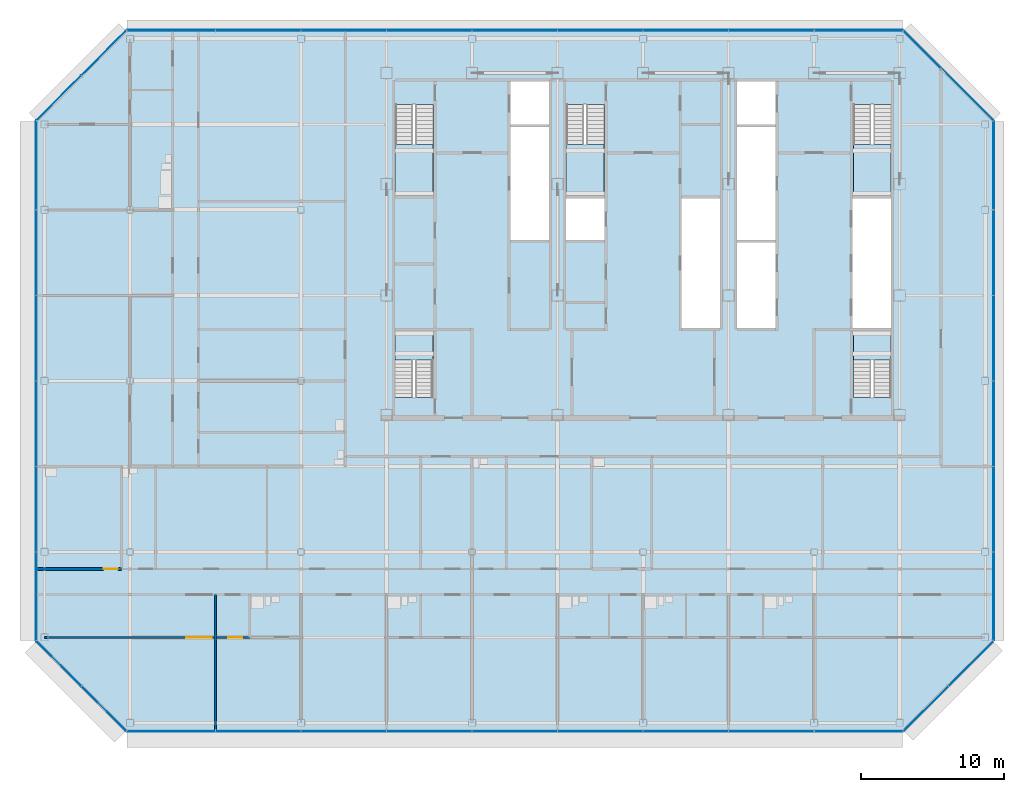
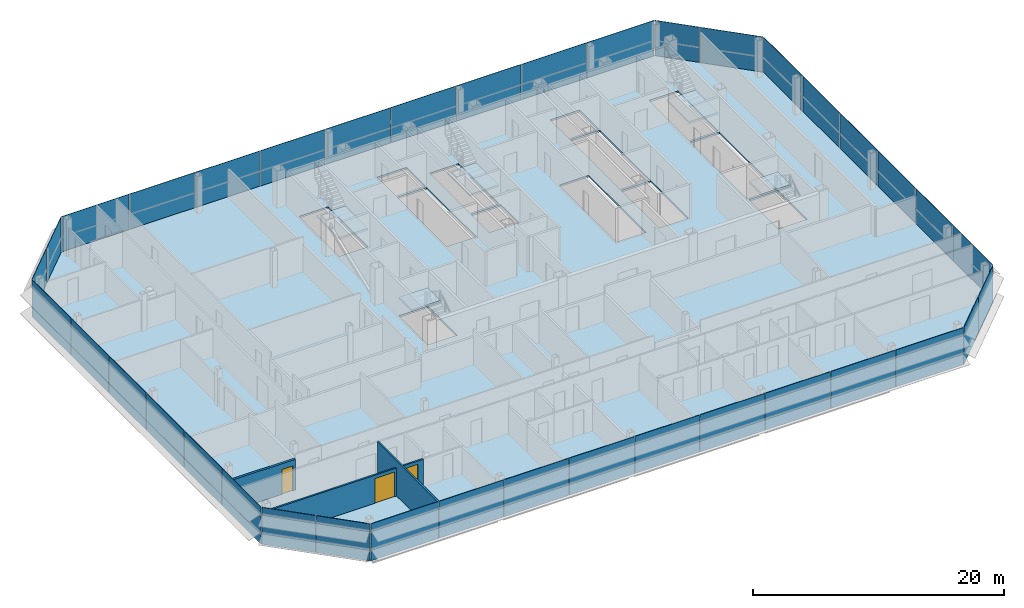
# One storey, part 20 of 28: 38 plates, 6 slabs, 3 doors, 3 walls, 3 openings, 13 elements without a shape of their own.
"""IFC4 building model written with IfcOpenShell, lengths in metres."""

from ifc_helpers import new_model, si_unit, direction, frame, frame_2d, origin, origin_2d, place, context, subcontext, project, spatial, polyline, rectangle, outline, extrude, material, layer, layer_set, type_object, element, fill, aggregate, save


model = new_model("IFC4")

# Units and contexts
model_context = context("Model", 3, precision=1e-05, world=origin(), true_north=direction((0.0, 1.0)))
body_context = subcontext(model_context, "Body", "Model", "MODEL_VIEW")
ifc_project = project(units=[si_unit("LENGTHUNIT", "METRE"), si_unit("AREAUNIT", "SQUARE_METRE"), si_unit("VOLUMEUNIT", "CUBIC_METRE"), si_unit("PLANEANGLEUNIT", "RADIAN"), si_unit("MASSUNIT", "GRAM", prefix="KILO")], contexts=[model_context])

# Site, building, storey
site_placement = place(None, origin())
site = spatial("IfcSite", under=ifc_project, at=site_placement, CompositionType="ELEMENT")
building_placement = place(site_placement, origin())
building = spatial("IfcBuilding", under=site, at=building_placement, Name="Sorahane Residences", CompositionType="ELEMENT")
storey_placement = place(building_placement, frame((0.0, 0.0, 305.199951171875)))
storey = spatial("IfcBuildingStorey", under=building, at=storey_placement, Name="L72", CompositionType="ELEMENT", Elevation=305.199951171875)

# Slab
ifc_material_1 = material(Name="Concrete C35", Category="concrete")
ifc_layer_1 = layer(ifc_material_1, 0.179931640625)
ifc_layer_set_1 = layer_set([ifc_layer_1], Name="Composite floor slab 180 mm Concrete C35")
slab_type_1 = type_object("IfcSlabType", Name="Composite floor slab 180 mm Concrete C35", PredefinedType="FLOOR", material=ifc_layer_set_1)
slab_1_placement = place(storey_placement, frame((0.0, 0.0, -0.179931640625)))
element("IfcSlab", 1, at=slab_1_placement, inside=storey, type_object=slab_type_1, Name="Slab L72", PredefinedType="FLOOR", context=body_context, shape_type="SweptSolid", body=[
    extrude(outline(polyline([(-12.24853515625, -0.60009765625), (-18.60009765625, 5.75146484375), (-18.60009765625, 42.24853515625), (-12.24853515625, 48.60009765625), (42.24853515625, 48.60009765625), (48.60009765625, 42.24853515625), (48.60009765625, 5.75146484375), (42.24853515625, -0.60009765625), (-12.24853515625, -0.60009765625)]), holes=[polyline([(38.699951171875, 27.699951171875), (41.39990234375, 27.699951171875), (41.39990234375, 36.800048828125), (38.699951171875, 36.800048828125), (38.699951171875, 27.699951171875)]), polyline([(30.60009765625, 27.699951171875), (33.300048828125, 27.699951171875), (33.300048828125, 33.699951171875), (30.60009765625, 33.699951171875), (30.60009765625, 27.699951171875)]), polyline([(30.60009765625, 42.0), (33.300048828125, 42.0), (33.300048828125, 45.0), (30.60009765625, 45.0), (30.60009765625, 42.0)]), polyline([(14.699951171875, 42.0), (17.39990234375, 42.0), (17.39990234375, 45.0), (14.699951171875, 45.0), (14.699951171875, 42.0)]), polyline([(6.60009765625, 43.39990234375), (6.60009765625, 37.0), (9.25, 37.0), (9.25, 43.39990234375), (6.60009765625, 43.39990234375)]), polyline([(38.75, 43.39990234375), (38.75, 37.0), (41.39990234375, 37.0), (41.39990234375, 43.39990234375), (38.75, 43.39990234375)]), polyline([(18.60009765625, 43.39990234375), (18.60009765625, 37.0), (21.25, 37.0), (21.25, 43.39990234375), (18.60009765625, 43.39990234375)]), polyline([(9.25, 22.85009765625), (9.25, 27.5), (6.60009765625, 27.5), (6.60009765625, 22.85009765625), (9.25, 22.85009765625)]), polyline([(41.39990234375, 22.85009765625), (41.39990234375, 27.5), (38.75, 27.5), (38.75, 22.85009765625), (41.39990234375, 22.85009765625)]), polyline([(14.699951171875, 33.89990234375), (17.39990234375, 33.89990234375), (17.39990234375, 41.800048828125), (14.699951171875, 41.800048828125), (14.699951171875, 33.89990234375)]), polyline([(30.60009765625, 33.89990234375), (33.300048828125, 33.89990234375), (33.300048828125, 41.800048828125), (30.60009765625, 41.800048828125), (30.60009765625, 33.89990234375)]), polyline([(18.60009765625, 33.89990234375), (21.300048828125, 33.89990234375), (21.300048828125, 36.800048828125), (18.60009765625, 36.800048828125), (18.60009765625, 33.89990234375)]), polyline([(26.699951171875, 27.699951171875), (29.39990234375, 27.699951171875), (29.39990234375, 36.800048828125), (26.699951171875, 36.800048828125), (26.699951171875, 27.699951171875)])]), origin(), (0.0, 0.0, 1.0), 0.179931640625),
])

# Curtain wall, plates
ifc_material_2 = material(Name="Dark low-e glass and black anodised aluminium", Category="aluminium")
curtain_wall_type_1 = type_object("IfcCurtainWallType", Name="Curtain wall CW-1 Typical unitised wall", PredefinedType="NOTDEFINED", material=ifc_material_2)
curtain_wall_1_placement = place(storey_placement, origin())
curtain_wall_1 = element("IfcCurtainWall", 2, at=curtain_wall_1_placement, inside=storey, type_object=curtain_wall_type_1, Name="CW-1 curtain wall L72 S1", PredefinedType="NOTDEFINED")
ifc_material_3 = material(Name="Dark low-e glass with black ceramic frit", Category="glass")
ifc_layer_2 = layer(ifc_material_3, 0.0400390625)
ifc_layer_set_2 = layer_set([ifc_layer_2], Name="Curtain wall glass panel dark low-e with black frit spandrel band")
plate_type = type_object("IfcPlateType", Name="Curtain wall glass panel dark low-e with black frit spandrel band", PredefinedType="CURTAIN_PANEL", material=ifc_layer_set_2)
plate_1_placement = place(storey_placement, frame((-9.11181640625, -0.60009765625, -0.179931640625), z_axis=(0.0, 0.0, 1.0), x_axis=(1.0, 0.0, 0.0)))
plate_1 = element("IfcPlate", 3, at=plate_1_placement, type_object=plate_type, Name="CW-1 glass panel L72 S1.1", PredefinedType="CURTAIN_PANEL", context=body_context, shape_type="SweptSolid", body=[
    extrude(rectangle(XDim=6.173583984375, YDim=0.0400390625, at=origin_2d()), origin(), (0.0, 0.0, 1.0), 3.60009765625),
])
plate_2_placement = place(storey_placement, frame((-3.0, -0.60009765625, -0.179931640625), z_axis=(0.0, 0.0, 1.0), x_axis=(1.0, 0.0, 0.0)))
plate_2 = element("IfcPlate", 4, at=plate_2_placement, type_object=plate_type, Name="CW-1 glass panel L72 S1.2", PredefinedType="CURTAIN_PANEL", context=body_context, shape_type="SweptSolid", body=[
    extrude(rectangle(XDim=5.949951171875, YDim=0.0400390625, at=origin_2d()), origin(), (0.0, 0.0, 1.0), 3.60009765625),
])
plate_3_placement = place(storey_placement, frame((3.0, -0.60009765625, -0.179931640625), z_axis=(0.0, 0.0, 1.0), x_axis=(1.0, 0.0, 0.0)))
plate_3 = element("IfcPlate", 5, at=plate_3_placement, type_object=plate_type, Name="CW-1 glass panel L72 S1.3", PredefinedType="CURTAIN_PANEL", context=body_context, shape_type="SweptSolid", body=[
    extrude(rectangle(XDim=5.949951171875, YDim=0.0400390625, at=origin_2d()), origin(), (0.0, 0.0, 1.0), 3.60009765625),
])
plate_4_placement = place(storey_placement, frame((9.0, -0.60009765625, -0.179931640625), z_axis=(0.0, 0.0, 1.0), x_axis=(1.0, 0.0, 0.0)))
plate_4 = element("IfcPlate", 6, at=plate_4_placement, type_object=plate_type, Name="CW-1 glass panel L72 S1.4", PredefinedType="CURTAIN_PANEL", context=body_context, shape_type="SweptSolid", body=[
    extrude(rectangle(XDim=5.949951171875, YDim=0.0400390625, at=origin_2d()), origin(), (0.0, 0.0, 1.0), 3.60009765625),
])
plate_5_placement = place(storey_placement, frame((15.0, -0.60009765625, -0.179931640625), z_axis=(0.0, 0.0, 1.0), x_axis=(1.0, 0.0, 0.0)))
plate_5 = element("IfcPlate", 7, at=plate_5_placement, type_object=plate_type, Name="CW-1 glass panel L72 S1.5", PredefinedType="CURTAIN_PANEL", context=body_context, shape_type="SweptSolid", body=[
    extrude(rectangle(XDim=5.949951171875, YDim=0.0400390625, at=origin_2d()), origin(), (0.0, 0.0, 1.0), 3.60009765625),
])
plate_6_placement = place(storey_placement, frame((21.0, -0.60009765625, -0.179931640625), z_axis=(0.0, 0.0, 1.0), x_axis=(1.0, 0.0, 0.0)))
plate_6 = element("IfcPlate", 8, at=plate_6_placement, type_object=plate_type, Name="CW-1 glass panel L72 S1.6", PredefinedType="CURTAIN_PANEL", context=body_context, shape_type="SweptSolid", body=[
    extrude(rectangle(XDim=5.949951171875, YDim=0.0400390625, at=origin_2d()), origin(), (0.0, 0.0, 1.0), 3.60009765625),
])
plate_7_placement = place(storey_placement, frame((27.0, -0.60009765625, -0.179931640625), z_axis=(0.0, 0.0, 1.0), x_axis=(1.0, 0.0, 0.0)))
plate_7 = element("IfcPlate", 9, at=plate_7_placement, type_object=plate_type, Name="CW-1 glass panel L72 S1.7", PredefinedType="CURTAIN_PANEL", context=body_context, shape_type="SweptSolid", body=[
    extrude(rectangle(XDim=5.949951171875, YDim=0.0400390625, at=origin_2d()), origin(), (0.0, 0.0, 1.0), 3.60009765625),
])
plate_8_placement = place(storey_placement, frame((33.0, -0.60009765625, -0.179931640625), z_axis=(0.0, 0.0, 1.0), x_axis=(1.0, 0.0, 0.0)))
plate_8 = element("IfcPlate", 10, at=plate_8_placement, type_object=plate_type, Name="CW-1 glass panel L72 S1.8", PredefinedType="CURTAIN_PANEL", context=body_context, shape_type="SweptSolid", body=[
    extrude(rectangle(XDim=5.949951171875, YDim=0.0400390625, at=origin_2d()), origin(), (0.0, 0.0, 1.0), 3.60009765625),
])
plate_9_placement = place(storey_placement, frame((39.11181640625, -0.60009765625, -0.179931640625), z_axis=(0.0, 0.0, 1.0), x_axis=(1.0, 0.0, 0.0)))
plate_9 = element("IfcPlate", 11, at=plate_9_placement, type_object=plate_type, Name="CW-1 glass panel L72 S1.9", PredefinedType="CURTAIN_PANEL", context=body_context, shape_type="SweptSolid", body=[
    extrude(rectangle(XDim=6.173583984375, YDim=0.0400390625, at=origin_2d()), origin(), (0.0, 0.0, 1.0), 3.60009765625),
])
aggregate(curtain_wall_1, [plate_1, plate_2, plate_3, plate_4, plate_5, plate_6, plate_7, plate_8, plate_9])

ifc_material_4 = material(Name="Dark low-e glass and black anodised aluminium", Category="aluminium")
curtain_wall_type_2 = type_object("IfcCurtainWallType", Name="Curtain wall CW-2 Chamfer unitised wall", PredefinedType="NOTDEFINED", material=ifc_material_4)
curtain_wall_2_placement = place(storey_placement, origin())
curtain_wall_2 = element("IfcCurtainWall", 12, at=curtain_wall_2_placement, inside=storey, type_object=curtain_wall_type_2, Name="CW-2 curtain wall L72 SE1", PredefinedType="NOTDEFINED")
plate_10_placement = place(storey_placement, frame((43.84521484375, 0.996826171875, -0.179931640625), z_axis=(0.0, 0.0, 1.0), x_axis=(0.707106781187, 0.707106781187, 0.0)))
plate_10 = element("IfcPlate", 13, at=plate_10_placement, type_object=plate_type, Name="CW-2 glass panel L72 SE1.1", PredefinedType="CURTAIN_PANEL", context=body_context, shape_type="SweptSolid", body=[
    extrude(rectangle(XDim=4.416259765625, YDim=0.0400390625, at=origin_2d()), origin(), (0.0, 0.0, 1.0), 3.60009765625),
])
plate_11_placement = place(storey_placement, frame((47.003173828125, 4.15478515625, -0.179931640625), z_axis=(0.0, 0.0, 1.0), x_axis=(0.707106781187, 0.707106781187, 0.0)))
plate_11 = element("IfcPlate", 14, at=plate_11_placement, type_object=plate_type, Name="CW-2 glass panel L72 SE1.2", PredefinedType="CURTAIN_PANEL", context=body_context, shape_type="SweptSolid", body=[
    extrude(rectangle(XDim=4.416259765625, YDim=0.0400390625, at=origin_2d()), origin(), (0.0, 0.0, 1.0), 3.60009765625),
])
aggregate(curtain_wall_2, [plate_10, plate_11])

curtain_wall_3_placement = place(storey_placement, origin())
curtain_wall_3 = element("IfcCurtainWall", 15, at=curtain_wall_3_placement, inside=storey, type_object=curtain_wall_type_1, Name="CW-1 curtain wall L72 E1", PredefinedType="NOTDEFINED")
plate_12_placement = place(storey_placement, frame((48.60009765625, 8.88818359375, -0.179931640625), z_axis=(0.0, 0.0, 1.0), x_axis=(0.0, 1.0, 0.0)))
plate_12 = element("IfcPlate", 16, at=plate_12_placement, type_object=plate_type, Name="CW-1 glass panel L72 E1.1", PredefinedType="CURTAIN_PANEL", context=body_context, shape_type="SweptSolid", body=[
    extrude(rectangle(XDim=6.173583984375, YDim=0.0400390625, at=origin_2d()), origin(), (0.0, 0.0, 1.0), 3.60009765625),
])
plate_13_placement = place(storey_placement, frame((48.60009765625, 15.0, -0.179931640625), z_axis=(0.0, 0.0, 1.0), x_axis=(0.0, 1.0, 0.0)))
plate_13 = element("IfcPlate", 17, at=plate_13_placement, type_object=plate_type, Name="CW-1 glass panel L72 E1.2", PredefinedType="CURTAIN_PANEL", context=body_context, shape_type="SweptSolid", body=[
    extrude(rectangle(XDim=5.949951171875, YDim=0.0400390625, at=origin_2d()), origin(), (0.0, 0.0, 1.0), 3.60009765625),
])
plate_14_placement = place(storey_placement, frame((48.60009765625, 21.0, -0.179931640625), z_axis=(0.0, 0.0, 1.0), x_axis=(0.0, 1.0, 0.0)))
plate_14 = element("IfcPlate", 18, at=plate_14_placement, type_object=plate_type, Name="CW-1 glass panel L72 E1.3", PredefinedType="CURTAIN_PANEL", context=body_context, shape_type="SweptSolid", body=[
    extrude(rectangle(XDim=5.949951171875, YDim=0.0400390625, at=origin_2d()), origin(), (0.0, 0.0, 1.0), 3.60009765625),
])
plate_15_placement = place(storey_placement, frame((48.60009765625, 27.0, -0.179931640625), z_axis=(0.0, 0.0, 1.0), x_axis=(0.0, 1.0, 0.0)))
plate_15 = element("IfcPlate", 19, at=plate_15_placement, type_object=plate_type, Name="CW-1 glass panel L72 E1.4", PredefinedType="CURTAIN_PANEL", context=body_context, shape_type="SweptSolid", body=[
    extrude(rectangle(XDim=5.949951171875, YDim=0.0400390625, at=origin_2d()), origin(), (0.0, 0.0, 1.0), 3.60009765625),
])
plate_16_placement = place(storey_placement, frame((48.60009765625, 33.0, -0.179931640625), z_axis=(0.0, 0.0, 1.0), x_axis=(0.0, 1.0, 0.0)))
plate_16 = element("IfcPlate", 20, at=plate_16_placement, type_object=plate_type, Name="CW-1 glass panel L72 E1.5", PredefinedType="CURTAIN_PANEL", context=body_context, shape_type="SweptSolid", body=[
    extrude(rectangle(XDim=5.949951171875, YDim=0.0400390625, at=origin_2d()), origin(), (0.0, 0.0, 1.0), 3.60009765625),
])
plate_17_placement = place(storey_placement, frame((48.60009765625, 39.11181640625, -0.179931640625), z_axis=(0.0, 0.0, 1.0), x_axis=(0.0, 1.0, 0.0)))
plate_17 = element("IfcPlate", 21, at=plate_17_placement, type_object=plate_type, Name="CW-1 glass panel L72 E1.6", PredefinedType="CURTAIN_PANEL", context=body_context, shape_type="SweptSolid", body=[
    extrude(rectangle(XDim=6.173583984375, YDim=0.0400390625, at=origin_2d()), origin(), (0.0, 0.0, 1.0), 3.60009765625),
])
aggregate(curtain_wall_3, [plate_12, plate_13, plate_14, plate_15, plate_16, plate_17])

curtain_wall_4_placement = place(storey_placement, origin())
curtain_wall_4 = element("IfcCurtainWall", 22, at=curtain_wall_4_placement, inside=storey, type_object=curtain_wall_type_2, Name="CW-2 curtain wall L72 NE1", PredefinedType="NOTDEFINED")
plate_18_placement = place(storey_placement, frame((46.740966796875, 44.107421875, -0.179931640625), z_axis=(0.0, 0.0, 1.0), x_axis=(-0.707106781187, 0.707106781187, 0.0)))
plate_18 = element("IfcPlate", 23, at=plate_18_placement, type_object=plate_type, Name="CW-2 glass panel L72 NE1.1", PredefinedType="CURTAIN_PANEL", context=body_context, shape_type="SweptSolid", body=[
    extrude(rectangle(XDim=5.157958984375, YDim=0.0400390625, at=origin_2d()), origin(), (0.0, 0.0, 1.0), 3.60009765625),
])
plate_19_placement = place(storey_placement, frame((43.5830078125, 47.265625, -0.179931640625), z_axis=(0.0, 0.0, 1.0), x_axis=(-0.707106781187, 0.707106781187, 0.0)))
plate_19 = element("IfcPlate", 24, at=plate_19_placement, type_object=plate_type, Name="CW-2 glass panel L72 NE1.2", PredefinedType="CURTAIN_PANEL", context=body_context, shape_type="SweptSolid", body=[
    extrude(rectangle(XDim=3.67431640625, YDim=0.0400390625, at=origin_2d()), origin(), (0.0, 0.0, 1.0), 3.60009765625),
])
aggregate(curtain_wall_4, [plate_18, plate_19])

curtain_wall_5_placement = place(storey_placement, origin())
curtain_wall_5 = element("IfcCurtainWall", 25, at=curtain_wall_5_placement, inside=storey, type_object=curtain_wall_type_1, Name="CW-1 curtain wall L72 N1", PredefinedType="NOTDEFINED")
plate_20_placement = place(storey_placement, frame((39.11181640625, 48.60009765625, -0.179931640625), z_axis=(0.0, 0.0, 1.0), x_axis=(-1.0, 0.0, 0.0)))
plate_20 = element("IfcPlate", 26, at=plate_20_placement, type_object=plate_type, Name="CW-1 glass panel L72 N1.1", PredefinedType="CURTAIN_PANEL", context=body_context, shape_type="SweptSolid", body=[
    extrude(rectangle(XDim=6.173583984375, YDim=0.0400390625, at=origin_2d()), origin(), (0.0, 0.0, 1.0), 3.60009765625),
])
plate_21_placement = place(storey_placement, frame((33.0, 48.60009765625, -0.179931640625), z_axis=(0.0, 0.0, 1.0), x_axis=(-1.0, 0.0, 0.0)))
plate_21 = element("IfcPlate", 27, at=plate_21_placement, type_object=plate_type, Name="CW-1 glass panel L72 N1.2", PredefinedType="CURTAIN_PANEL", context=body_context, shape_type="SweptSolid", body=[
    extrude(rectangle(XDim=5.949951171875, YDim=0.0400390625, at=origin_2d()), origin(), (0.0, 0.0, 1.0), 3.60009765625),
])
plate_22_placement = place(storey_placement, frame((27.0, 48.60009765625, -0.179931640625), z_axis=(0.0, 0.0, 1.0), x_axis=(-1.0, 0.0, 0.0)))
plate_22 = element("IfcPlate", 28, at=plate_22_placement, type_object=plate_type, Name="CW-1 glass panel L72 N1.3", PredefinedType="CURTAIN_PANEL", context=body_context, shape_type="SweptSolid", body=[
    extrude(rectangle(XDim=5.949951171875, YDim=0.0400390625, at=origin_2d()), origin(), (0.0, 0.0, 1.0), 3.60009765625),
])
plate_23_placement = place(storey_placement, frame((21.0, 48.60009765625, -0.179931640625), z_axis=(0.0, 0.0, 1.0), x_axis=(-1.0, 0.0, 0.0)))
plate_23 = element("IfcPlate", 29, at=plate_23_placement, type_object=plate_type, Name="CW-1 glass panel L72 N1.4", PredefinedType="CURTAIN_PANEL", context=body_context, shape_type="SweptSolid", body=[
    extrude(rectangle(XDim=5.949951171875, YDim=0.0400390625, at=origin_2d()), origin(), (0.0, 0.0, 1.0), 3.60009765625),
])
plate_24_placement = place(storey_placement, frame((15.0, 48.60009765625, -0.179931640625), z_axis=(0.0, 0.0, 1.0), x_axis=(-1.0, 0.0, 0.0)))
plate_24 = element("IfcPlate", 30, at=plate_24_placement, type_object=plate_type, Name="CW-1 glass panel L72 N1.5", PredefinedType="CURTAIN_PANEL", context=body_context, shape_type="SweptSolid", body=[
    extrude(rectangle(XDim=5.949951171875, YDim=0.0400390625, at=origin_2d()), origin(), (0.0, 0.0, 1.0), 3.60009765625),
])
plate_25_placement = place(storey_placement, frame((9.0, 48.60009765625, -0.179931640625), z_axis=(0.0, 0.0, 1.0), x_axis=(-1.0, 0.0, 0.0)))
plate_25 = element("IfcPlate", 31, at=plate_25_placement, type_object=plate_type, Name="CW-1 glass panel L72 N1.6", PredefinedType="CURTAIN_PANEL", context=body_context, shape_type="SweptSolid", body=[
    extrude(rectangle(XDim=5.949951171875, YDim=0.0400390625, at=origin_2d()), origin(), (0.0, 0.0, 1.0), 3.60009765625),
])
plate_26_placement = place(storey_placement, frame((3.0, 48.60009765625, -0.179931640625), z_axis=(0.0, 0.0, 1.0), x_axis=(-1.0, 0.0, 0.0)))
plate_26 = element("IfcPlate", 32, at=plate_26_placement, type_object=plate_type, Name="CW-1 glass panel L72 N1.7", PredefinedType="CURTAIN_PANEL", context=body_context, shape_type="SweptSolid", body=[
    extrude(rectangle(XDim=5.949951171875, YDim=0.0400390625, at=origin_2d()), origin(), (0.0, 0.0, 1.0), 3.60009765625),
])
plate_27_placement = place(storey_placement, frame((-3.0, 48.60009765625, -0.179931640625), z_axis=(0.0, 0.0, 1.0), x_axis=(-1.0, 0.0, 0.0)))
plate_27 = element("IfcPlate", 33, at=plate_27_placement, type_object=plate_type, Name="CW-1 glass panel L72 N1.8", PredefinedType="CURTAIN_PANEL", context=body_context, shape_type="SweptSolid", body=[
    extrude(rectangle(XDim=5.949951171875, YDim=0.0400390625, at=origin_2d()), origin(), (0.0, 0.0, 1.0), 3.60009765625),
])
plate_28_placement = place(storey_placement, frame((-9.11181640625, 48.60009765625, -0.179931640625), z_axis=(0.0, 0.0, 1.0), x_axis=(-1.0, 0.0, 0.0)))
plate_28 = element("IfcPlate", 34, at=plate_28_placement, type_object=plate_type, Name="CW-1 glass panel L72 N1.9", PredefinedType="CURTAIN_PANEL", context=body_context, shape_type="SweptSolid", body=[
    extrude(rectangle(XDim=6.173583984375, YDim=0.0400390625, at=origin_2d()), origin(), (0.0, 0.0, 1.0), 3.60009765625),
])
aggregate(curtain_wall_5, [plate_20, plate_21, plate_22, plate_23, plate_24, plate_25, plate_26, plate_27, plate_28])

curtain_wall_6_placement = place(storey_placement, origin())
curtain_wall_6 = element("IfcCurtainWall", 35, at=curtain_wall_6_placement, inside=storey, type_object=curtain_wall_type_2, Name="CW-2 curtain wall L72 NW1", PredefinedType="NOTDEFINED")
plate_29_placement = place(storey_placement, frame((-13.84521484375, 47.003173828125, -0.179931640625), z_axis=(0.0, 0.0, 1.0), x_axis=(-0.707106781187, -0.707106781187, 0.0)))
plate_29 = element("IfcPlate", 36, at=plate_29_placement, type_object=plate_type, Name="CW-2 glass panel L72 NW1.1", PredefinedType="CURTAIN_PANEL", context=body_context, shape_type="SweptSolid", body=[
    extrude(rectangle(XDim=4.416259765625, YDim=0.0400390625, at=origin_2d()), origin(), (0.0, 0.0, 1.0), 3.60009765625),
])
plate_30_placement = place(storey_placement, frame((-17.003173828125, 43.84521484375, -0.179931640625), z_axis=(0.0, 0.0, 1.0), x_axis=(-0.707106781187, -0.707106781187, 0.0)))
plate_30 = element("IfcPlate", 37, at=plate_30_placement, type_object=plate_type, Name="CW-2 glass panel L72 NW1.2", PredefinedType="CURTAIN_PANEL", context=body_context, shape_type="SweptSolid", body=[
    extrude(rectangle(XDim=4.416259765625, YDim=0.0400390625, at=origin_2d()), origin(), (0.0, 0.0, 1.0), 3.60009765625),
])
aggregate(curtain_wall_6, [plate_29, plate_30])

curtain_wall_7_placement = place(storey_placement, origin())
curtain_wall_7 = element("IfcCurtainWall", 38, at=curtain_wall_7_placement, inside=storey, type_object=curtain_wall_type_1, Name="CW-1 curtain wall L72 W1", PredefinedType="NOTDEFINED")
plate_31_placement = place(storey_placement, frame((-18.60009765625, 39.11181640625, -0.179931640625), z_axis=(0.0, 0.0, 1.0), x_axis=(0.0, -1.0, 0.0)))
plate_31 = element("IfcPlate", 39, at=plate_31_placement, type_object=plate_type, Name="CW-1 glass panel L72 W1.1", PredefinedType="CURTAIN_PANEL", context=body_context, shape_type="SweptSolid", body=[
    extrude(rectangle(XDim=6.173583984375, YDim=0.0400390625, at=origin_2d()), origin(), (0.0, 0.0, 1.0), 3.60009765625),
])
plate_32_placement = place(storey_placement, frame((-18.60009765625, 33.0, -0.179931640625), z_axis=(0.0, 0.0, 1.0), x_axis=(0.0, -1.0, 0.0)))
plate_32 = element("IfcPlate", 40, at=plate_32_placement, type_object=plate_type, Name="CW-1 glass panel L72 W1.2", PredefinedType="CURTAIN_PANEL", context=body_context, shape_type="SweptSolid", body=[
    extrude(rectangle(XDim=5.949951171875, YDim=0.0400390625, at=origin_2d()), origin(), (0.0, 0.0, 1.0), 3.60009765625),
])
plate_33_placement = place(storey_placement, frame((-18.60009765625, 27.0, -0.179931640625), z_axis=(0.0, 0.0, 1.0), x_axis=(0.0, -1.0, 0.0)))
plate_33 = element("IfcPlate", 41, at=plate_33_placement, type_object=plate_type, Name="CW-1 glass panel L72 W1.3", PredefinedType="CURTAIN_PANEL", context=body_context, shape_type="SweptSolid", body=[
    extrude(rectangle(XDim=5.949951171875, YDim=0.0400390625, at=origin_2d()), origin(), (0.0, 0.0, 1.0), 3.60009765625),
])
plate_34_placement = place(storey_placement, frame((-18.60009765625, 21.0, -0.179931640625), z_axis=(0.0, 0.0, 1.0), x_axis=(0.0, -1.0, 0.0)))
plate_34 = element("IfcPlate", 42, at=plate_34_placement, type_object=plate_type, Name="CW-1 glass panel L72 W1.4", PredefinedType="CURTAIN_PANEL", context=body_context, shape_type="SweptSolid", body=[
    extrude(rectangle(XDim=5.949951171875, YDim=0.0400390625, at=origin_2d()), origin(), (0.0, 0.0, 1.0), 3.60009765625),
])
plate_35_placement = place(storey_placement, frame((-18.60009765625, 15.0, -0.179931640625), z_axis=(0.0, 0.0, 1.0), x_axis=(0.0, -1.0, 0.0)))
plate_35 = element("IfcPlate", 43, at=plate_35_placement, type_object=plate_type, Name="CW-1 glass panel L72 W1.5", PredefinedType="CURTAIN_PANEL", context=body_context, shape_type="SweptSolid", body=[
    extrude(rectangle(XDim=5.949951171875, YDim=0.0400390625, at=origin_2d()), origin(), (0.0, 0.0, 1.0), 3.60009765625),
])
plate_36_placement = place(storey_placement, frame((-18.60009765625, 8.88818359375, -0.179931640625), z_axis=(0.0, 0.0, 1.0), x_axis=(0.0, -1.0, 0.0)))
plate_36 = element("IfcPlate", 44, at=plate_36_placement, type_object=plate_type, Name="CW-1 glass panel L72 W1.6", PredefinedType="CURTAIN_PANEL", context=body_context, shape_type="SweptSolid", body=[
    extrude(rectangle(XDim=6.173583984375, YDim=0.0400390625, at=origin_2d()), origin(), (0.0, 0.0, 1.0), 3.60009765625),
])
aggregate(curtain_wall_7, [plate_31, plate_32, plate_33, plate_34, plate_35, plate_36])

curtain_wall_8_placement = place(storey_placement, origin())
curtain_wall_8 = element("IfcCurtainWall", 45, at=curtain_wall_8_placement, inside=storey, type_object=curtain_wall_type_2, Name="CW-2 curtain wall L72 SW1", PredefinedType="NOTDEFINED")
plate_37_placement = place(storey_placement, frame((-17.003173828125, 4.15478515625, -0.179931640625), z_axis=(0.0, 0.0, 1.0), x_axis=(0.707106781187, -0.707106781187, 0.0)))
plate_37 = element("IfcPlate", 46, at=plate_37_placement, type_object=plate_type, Name="CW-2 glass panel L72 SW1.1", PredefinedType="CURTAIN_PANEL", context=body_context, shape_type="SweptSolid", body=[
    extrude(rectangle(XDim=4.416259765625, YDim=0.0400390625, at=origin_2d()), origin(), (0.0, 0.0, 1.0), 3.60009765625),
])
plate_38_placement = place(storey_placement, frame((-13.84521484375, 0.996826171875, -0.179931640625), z_axis=(0.0, 0.0, 1.0), x_axis=(0.707106781187, -0.707106781187, 0.0)))
plate_38 = element("IfcPlate", 47, at=plate_38_placement, type_object=plate_type, Name="CW-2 glass panel L72 SW1.2", PredefinedType="CURTAIN_PANEL", context=body_context, shape_type="SweptSolid", body=[
    extrude(rectangle(XDim=4.416259765625, YDim=0.0400390625, at=origin_2d()), origin(), (0.0, 0.0, 1.0), 3.60009765625),
])
aggregate(curtain_wall_8, [plate_37, plate_38])

# Stair, slab
ifc_material_5 = material(Name="Concrete C40", Category="concrete")
stair_type = type_object("IfcStairType", Name="Dog-leg stair 1250 Concrete C40", PredefinedType="HALF_TURN_STAIR", material=ifc_material_5)
stair_1_placement = place(storey_placement, origin())
stair_1 = element("IfcStair", 48, at=stair_1_placement, inside=storey, type_object=stair_type, Name="L72 Stair S1", PredefinedType="HALF_TURN_STAIR")
ifc_material_6 = material(Name="Concrete C40", Category="concrete")
ifc_layer_3 = layer(ifc_material_6, 0.199951171875)
ifc_layer_set_3 = layer_set([ifc_layer_3], Name="Stair landing 200 Concrete C40")
slab_type_2 = type_object("IfcSlabType", Name="Stair landing 200 Concrete C40", PredefinedType="LANDING", material=ifc_layer_set_3)
slab_2_placement = place(storey_placement, frame((0.0, 0.0, 1.60009765625)))
slab_2 = element("IfcSlab", 49, at=slab_2_placement, type_object=slab_type_2, Name="S1 landing 1", PredefinedType="LANDING", context=body_context, shape_type="SweptSolid", body=[
    extrude(outline(polyline([(6.60009765625, 40.60009765625), (6.60009765625, 37.0), (9.25, 37.0), (9.25, 40.60009765625), (6.60009765625, 40.60009765625)])), origin(), (0.0, 0.0, 1.0), 0.199951171875),
])
aggregate(stair_1, [slab_2])

stair_2_placement = place(storey_placement, origin())
stair_2 = element("IfcStair", 50, at=stair_2_placement, inside=storey, type_object=stair_type, Name="L72 Stair S2", PredefinedType="HALF_TURN_STAIR")
slab_3_placement = place(storey_placement, frame((0.0, 0.0, 1.60009765625)))
slab_3 = element("IfcSlab", 51, at=slab_3_placement, type_object=slab_type_2, Name="S2 landing 1", PredefinedType="LANDING", context=body_context, shape_type="SweptSolid", body=[
    extrude(outline(polyline([(38.75, 40.60009765625), (38.75, 37.0), (41.39990234375, 37.0), (41.39990234375, 40.60009765625), (38.75, 40.60009765625)])), origin(), (0.0, 0.0, 1.0), 0.199951171875),
])
aggregate(stair_2, [slab_3])

stair_3_placement = place(storey_placement, origin())
stair_3 = element("IfcStair", 52, at=stair_3_placement, inside=storey, type_object=stair_type, Name="L72 Stair S3", PredefinedType="HALF_TURN_STAIR")
slab_4_placement = place(storey_placement, frame((0.0, 0.0, 1.60009765625)))
slab_4 = element("IfcSlab", 53, at=slab_4_placement, type_object=slab_type_2, Name="S3 landing 1", PredefinedType="LANDING", context=body_context, shape_type="SweptSolid", body=[
    extrude(outline(polyline([(18.60009765625, 40.60009765625), (18.60009765625, 37.0), (21.25, 37.0), (21.25, 40.60009765625), (18.60009765625, 40.60009765625)])), origin(), (0.0, 0.0, 1.0), 0.199951171875),
])
aggregate(stair_3, [slab_4])

stair_4_placement = place(storey_placement, origin())
stair_4 = element("IfcStair", 54, at=stair_4_placement, inside=storey, type_object=stair_type, Name="L72 Stair S4", PredefinedType="HALF_TURN_STAIR")
slab_5_placement = place(storey_placement, frame((0.0, 0.0, 1.60009765625)))
slab_5 = element("IfcSlab", 55, at=slab_5_placement, type_object=slab_type_2, Name="S4 landing 1", PredefinedType="LANDING", context=body_context, shape_type="SweptSolid", body=[
    extrude(outline(polyline([(9.25, 25.449951171875), (9.25, 27.5), (6.60009765625, 27.5), (6.60009765625, 25.449951171875), (9.25, 25.449951171875)])), origin(), (0.0, 0.0, 1.0), 0.199951171875),
])
aggregate(stair_4, [slab_5])

stair_5_placement = place(storey_placement, origin())
stair_5 = element("IfcStair", 56, at=stair_5_placement, inside=storey, type_object=stair_type, Name="L72 Stair S5", PredefinedType="HALF_TURN_STAIR")
slab_6_placement = place(storey_placement, frame((0.0, 0.0, 1.60009765625)))
slab_6 = element("IfcSlab", 57, at=slab_6_placement, type_object=slab_type_2, Name="S5 landing 1", PredefinedType="LANDING", context=body_context, shape_type="SweptSolid", body=[
    extrude(outline(polyline([(41.39990234375, 25.449951171875), (41.39990234375, 27.5), (38.75, 27.5), (38.75, 25.449951171875), (41.39990234375, 25.449951171875)])), origin(), (0.0, 0.0, 1.0), 0.199951171875),
])
aggregate(stair_5, [slab_6])

# Wall, opening, door
ifc_material_7 = material(Name="Concrete blockwork C20 wall", Category="masonry")
ifc_layer_4 = layer(ifc_material_7, 0.199951171875)
ifc_layer_set_4 = layer_set([ifc_layer_4], Name="Kitchen wall 200 EI 180")
wall_type_1 = type_object("IfcWallType", Name="Kitchen wall 200 EI 180", PredefinedType="SOLIDWALL", material=ifc_layer_set_4)
wall_1_placement = place(storey_placement, frame((-18.60009765625, 10.800048828125, 0.0), z_axis=(0.0, 0.0, 1.0), x_axis=(1.0, 0.0, 0.0)))
wall_1 = element("IfcWall", 58, at=wall_1_placement, inside=storey, type_object=wall_type_1, Name="L72 kitchen wall", PredefinedType="SOLIDWALL", context=body_context, shape_type="SweptSolid", body=[
    extrude(rectangle(XDim=6.0, YDim=0.199951171875, at=frame_2d((3.0, 0.0))), origin(), (0.0, 0.0, 1.0), 2.969970703125),
])
opening_1_placement = place(wall_1_placement, frame((4.75, 0.0, 0.0)))
opening_1 = element("IfcOpeningElement", 59, at=opening_1_placement, cuts=wall_1, Name="Opening L72-02", PredefinedType="OPENING", context=body_context, shape_type="SweptSolid", body=[
    extrude(rectangle(XDim=1.0, YDim=2.39990234375, at=frame_2d((0.5, 1.199951171875))), frame((0.0, 0.10986328125, 0.0), z_axis=(0.0, -1.0, 0.0), x_axis=(1.0, 0.0, 0.0)), (0.0, 0.0, 1.0), 0.219970703125),
])
ifc_material_8 = material(Name="Steel", Category="steel")
door_type_1 = type_object("IfcDoorType", Name="Kitchen door 1000x2400 FD120", OperationType="NOTDEFINED", PredefinedType="DOOR", material=ifc_material_8)
door_1_placement = place(opening_1_placement, origin())
door_1 = element("IfcDoor", 60, at=door_1_placement, inside=storey, type_object=door_type_1, Name="Kitchen door L72-02", OperationType="SINGLE_SWING_RIGHT", OverallHeight=2.39990234375, OverallWidth=1.0, PredefinedType="DOOR", context=body_context, shape_type="SweptSolid", body=[
    extrude(rectangle(XDim=1.0, YDim=2.39990234375, at=frame_2d((0.5, 1.199951171875))), frame((0.0, 0.02490234375, 0.0), z_axis=(0.0, -1.0, 0.0), x_axis=(1.0, 0.0, 0.0)), (0.0, 0.0, 1.0), 0.050048828125),
])
fill(opening_1, door_1)

# Wall
ifc_material_9 = material(Name="Gypsum board partition on steel studs", Category="steel")
ifc_layer_5 = layer(ifc_material_9, 0.14990234375)
ifc_layer_set_5 = layer_set([ifc_layer_5], Name="Partition 150 EI 90")
wall_type_2 = type_object("IfcWallType", Name="Partition 150 EI 90", PredefinedType="PARTITIONING", material=ifc_layer_set_5)
wall_2_placement = place(storey_placement, frame((-6.0, -0.60009765625, 0.0), z_axis=(0.0, 0.0, 1.0), x_axis=(0.0, 1.0, 0.0)))
element("IfcWall", 61, at=wall_2_placement, inside=storey, type_object=wall_type_2, Name="L72 partition", PredefinedType="PARTITIONING", context=body_context, shape_type="SweptSolid", body=[
    extrude(rectangle(XDim=9.60009765625, YDim=0.14990234375, at=frame_2d((4.800048828125, 0.0))), origin(), (0.0, 0.0, 1.0), 3.420166015625),
])

# Wall, openings, doors
wall_3_placement = place(storey_placement, frame((-18.0, 6.0, 0.0), z_axis=(0.0, 0.0, 1.0), x_axis=(1.0, 0.0, 0.0)))
wall_3 = element("IfcWall", 62, at=wall_3_placement, inside=storey, type_object=wall_type_2, Name="L72 partition", PredefinedType="PARTITIONING", context=body_context, shape_type="SweptSolid", body=[
    extrude(rectangle(XDim=14.39990234375, YDim=0.14990234375, at=frame_2d((7.199951171875, 0.0))), origin(), (0.0, 0.0, 1.0), 2.719970703125),
])
opening_2_placement = place(wall_3_placement, frame((9.949951171875, 0.0, 0.0)))
opening_2 = element("IfcOpeningElement", 63, at=opening_2_placement, cuts=wall_3, Name="Opening L72-10", PredefinedType="OPENING", context=body_context, shape_type="SweptSolid", body=[
    extrude(rectangle(XDim=1.800048828125, YDim=2.39990234375, at=frame_2d((0.89990234375, 1.199951171875))), frame((0.0, 0.0849609375, 0.0), z_axis=(0.0, -1.0, 0.0), x_axis=(1.0, 0.0, 0.0)), (0.0, 0.0, 1.0), 0.169921875),
])
opening_3_placement = place(wall_3_placement, frame((12.8798828125, 0.0, 0.0)))
opening_3 = element("IfcOpeningElement", 64, at=opening_3_placement, cuts=wall_3, Name="Opening L72-11", PredefinedType="OPENING", context=body_context, shape_type="SweptSolid", body=[
    extrude(rectangle(XDim=1.0, YDim=2.39990234375, at=frame_2d((0.5, 1.199951171875))), frame((0.0, 0.0849609375, 0.0), z_axis=(0.0, -1.0, 0.0), x_axis=(1.0, 0.0, 0.0)), (0.0, 0.0, 1.0), 0.169921875),
])
ifc_material_10 = material(Name="Timber veneered fire door", Category="wood")
door_type_2 = type_object("IfcDoorType", Name="Double door 1800x2400 FD30", OperationType="NOTDEFINED", PredefinedType="DOOR", material=ifc_material_10)
door_2_placement = place(opening_2_placement, frame((1.800048828125, 0.0, 0.0), z_axis=(0.0, 0.0, 1.0), x_axis=(-1.0, 0.0, 0.0)))
door_2 = element("IfcDoor", 65, at=door_2_placement, inside=storey, type_object=door_type_2, Name="Double door L72-10", OperationType="SINGLE_SWING_RIGHT", OverallHeight=2.39990234375, OverallWidth=1.800048828125, PredefinedType="DOOR", context=body_context, shape_type="SweptSolid", body=[
    extrude(rectangle(XDim=1.800048828125, YDim=2.39990234375, at=frame_2d((0.89990234375, 1.199951171875))), frame((0.0, 0.02490234375, 0.0), z_axis=(0.0, -1.0, 0.0), x_axis=(1.0, 0.0, 0.0)), (0.0, 0.0, 1.0), 0.050048828125),
])
fill(opening_2, door_2)
ifc_material_11 = material(Name="Timber veneered fire door", Category="wood")
door_type_3 = type_object("IfcDoorType", Name="Room door 1000x2400 FD30", OperationType="NOTDEFINED", PredefinedType="DOOR", material=ifc_material_11)
door_3_placement = place(opening_3_placement, frame((1.0, 0.0, 0.0), z_axis=(0.0, 0.0, 1.0), x_axis=(-1.0, 0.0, 0.0)))
door_3 = element("IfcDoor", 66, at=door_3_placement, inside=storey, type_object=door_type_3, Name="Room door L72-11", OperationType="SINGLE_SWING_RIGHT", OverallHeight=2.39990234375, OverallWidth=1.0, PredefinedType="DOOR", context=body_context, shape_type="SweptSolid", body=[
    extrude(rectangle(XDim=1.0, YDim=2.39990234375, at=frame_2d((0.5, 1.199951171875))), frame((0.0, 0.02490234375, 0.0), z_axis=(0.0, -1.0, 0.0), x_axis=(1.0, 0.0, 0.0)), (0.0, 0.0, 1.0), 0.050048828125),
])
fill(opening_3, door_3)

save(model, "model.ifc")
